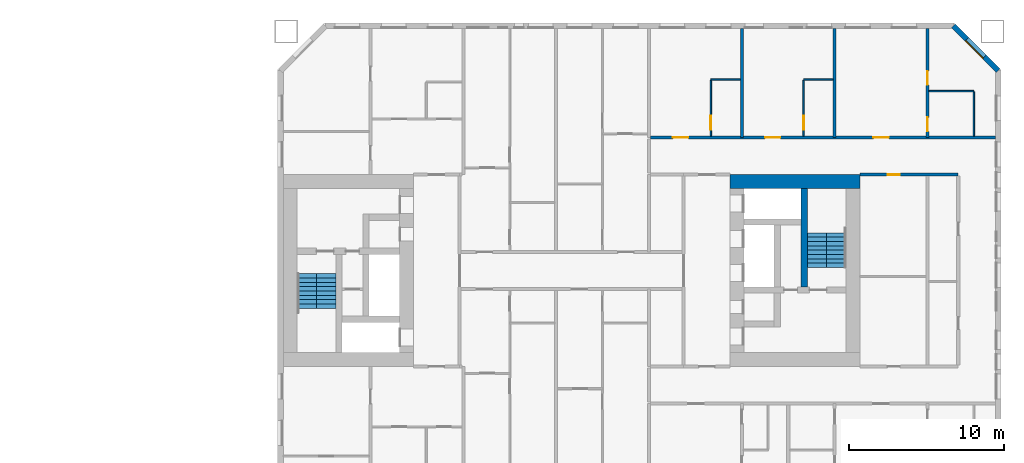
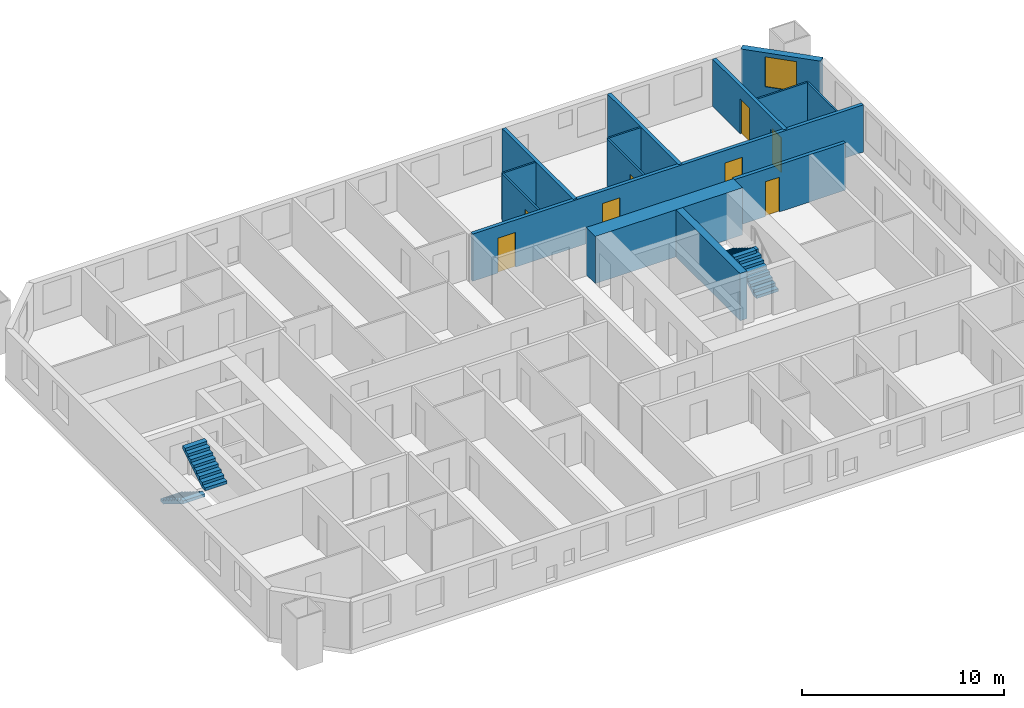
# One storey, part 15 of 17: 14 walls, 8 doors, 4 stair flights, 1 window, 9 openings, 2 elements without a shape of their own.
"""IFC4 building model written with IfcOpenShell, lengths in metres."""

from ifc_helpers import new_model, si_unit, direction, frame, frame_2d, origin, place, context, subcontext, project, spatial, polyline, rectangle, outline, extrude, material, layer, layer_set, type_object, element, fill, aggregate, save


model = new_model("IFC4")

# Units and contexts
model_context = context("Model", 3, precision=1e-05, world=origin(), true_north=direction((0.0, 1.0)))
body_context = subcontext(model_context, "Body", "Model", "MODEL_VIEW")
ifc_project = project(units=[si_unit("LENGTHUNIT", "METRE"), si_unit("AREAUNIT", "SQUARE_METRE"), si_unit("VOLUMEUNIT", "CUBIC_METRE"), si_unit("PLANEANGLEUNIT", "RADIAN"), si_unit("MASSUNIT", "GRAM", prefix="KILO")], contexts=[model_context])

# Site, building, storey
site_placement = place(None, origin())
site = spatial("IfcSite", under=ifc_project, at=site_placement, CompositionType="ELEMENT")
building_placement = place(site_placement, origin())
building = spatial("IfcBuilding", under=site, at=building_placement, Name="Tuart Gate Housing", CompositionType="ELEMENT")
storey_placement = place(building_placement, frame((0.0, 0.0, 28.800048828125)))
storey = spatial("IfcBuildingStorey", under=building, at=storey_placement, Name="L07", CompositionType="ELEMENT", Elevation=28.800048828125)

# Wall, opening, window
ifc_material_1 = material(Name="Brick", Category="masonry")
ifc_layer_1 = layer(ifc_material_1, 0.360107421875)
ifc_layer_set_1 = layer_set([ifc_layer_1], Name="Brick pier and spandrel wall 360")
wall_type_1 = type_object("IfcWallType", Name="Brick pier and spandrel wall 360", PredefinedType="STANDARD", material=ifc_layer_set_1)
wall_1_placement = place(storey_placement, frame((177.570068359375, 82.92529296875, 0.0), z_axis=(0.0, 0.0, 1.0), x_axis=(-0.707106781187, 0.707106781187, 0.0)))
wall_1 = element("IfcWall", 1, at=wall_1_placement, inside=storey, type_object=wall_type_1, Name="External wall B-NE L07", PredefinedType="STANDARD", context=body_context, shape_type="SweptSolid", body=[
    extrude(rectangle(XDim=4.09375, YDim=0.360107421875, at=frame_2d((2.046875, 0.0))), origin(), (0.0, 0.0, 1.0), 2.849853515625),
])
opening_1_placement = place(wall_1_placement, frame((1.2470703125, 0.0, 0.800048828125)))
opening_1 = element("IfcOpeningElement", 2, at=opening_1_placement, cuts=wall_1, Name="Opening W1", PredefinedType="OPENING", context=body_context, shape_type="SweptSolid", body=[
    extrude(rectangle(XDim=1.60009765625, YDim=1.800048828125, at=frame_2d((0.800048828125, 0.89990234375))), frame((0.0, 0.18994140625, 0.0), z_axis=(0.0, -1.0, 0.0), x_axis=(1.0, 0.0, 0.0)), (0.0, 0.0, 1.0), 0.380126953125),
])
ifc_material_2 = material(Name="Aluminium frame with clear glass", Category="aluminium")
window_type = type_object("IfcWindowType", Name="Punched window 1600 x 1800", PartitioningType="SINGLE_PANEL", PredefinedType="WINDOW", material=ifc_material_2)
window_placement = place(opening_1_placement, origin())
window = element("IfcWindow", 3, at=window_placement, inside=storey, type_object=window_type, Name="Window W1", OverallHeight=1.800048828125, OverallWidth=1.60009765625, PartitioningType="SINGLE_PANEL", PredefinedType="WINDOW", context=body_context, shape_type="SweptSolid", body=[
    extrude(rectangle(XDim=1.60009765625, YDim=1.800048828125, at=frame_2d((0.800048828125, 0.89990234375))), frame((0.0, 0.150146484375, 0.0), z_axis=(0.0, -1.0, 0.0), x_axis=(1.0, 0.0, 0.0)), (0.0, 0.0, 1.0), 0.06005859375),
])
fill(opening_1, window)

# Walls
ifc_material_3 = material(Name="Concrete C60", Category="concrete")
ifc_layer_2 = layer(ifc_material_3, 0.39990234375)
ifc_layer_set_2 = layer_set([ifc_layer_2], Name="Core wall 400 C60")
wall_type_2 = type_object("IfcWallType", Name="Core wall 400 C60", PredefinedType="SHEAR", material=ifc_layer_set_2)
wall_2_placement = place(storey_placement, frame((165.0400390625, 75.300048828125, 0.0), z_axis=(0.0, 0.0, 1.0), x_axis=(0.0, -1.0, 0.0)))
element("IfcWall", 4, at=wall_2_placement, inside=storey, type_object=wall_type_2, Name="Core wall BK.6", PredefinedType="SHEAR", context=body_context, shape_type="SweptSolid", body=[
    extrude(rectangle(XDim=6.35009765625, YDim=0.39990234375, at=frame_2d((3.175048828125, 0.0))), origin(), (0.0, 0.0, 1.0), 2.849853515625),
])
ifc_material_4 = material(Name="Concrete C60", Category="concrete")
ifc_layer_3 = layer(ifc_material_4, 0.89990234375)
ifc_layer_set_3 = layer_set([ifc_layer_3], Name="Core wall 900 C60")
wall_type_3 = type_object("IfcWallType", Name="Core wall 900 C60", PredefinedType="SHEAR", material=ifc_layer_set_3)
wall_3_placement = place(storey_placement, frame((160.239990234375, 75.75, 0.0), z_axis=(0.0, 0.0, 1.0), x_axis=(1.0, 0.0, 0.0)))
element("IfcWall", 5, at=wall_3_placement, inside=storey, type_object=wall_type_3, Name="Core wall BK south", PredefinedType="SHEAR", context=body_context, shape_type="SweptSolid", body=[
    extrude(rectangle(XDim=8.39990234375, YDim=0.89990234375, at=frame_2d((4.199951171875, 0.0))), origin(), (0.0, 0.0, 1.0), 2.849853515625),
])

# Wall, opening, door
ifc_material_5 = material(Name="Concrete masonry 15 MPa", Category="masonry")
ifc_layer_4 = layer(ifc_material_5, 0.199951171875)
ifc_layer_set_4 = layer_set([ifc_layer_4], Name="Corridor wall masonry 200")
wall_type_4 = type_object("IfcWallType", Name="Corridor wall masonry 200", PredefinedType="PARTITIONING", material=ifc_layer_set_4)
wall_4_placement = place(storey_placement, frame((168.639892578125, 76.199951171875, 0.0), z_axis=(0.0, 0.0, 1.0), x_axis=(1.0, 0.0, 0.0)))
wall_4 = element("IfcWall", 6, at=wall_4_placement, inside=storey, type_object=wall_type_4, Name="Corridor wall masonry 200", PredefinedType="PARTITIONING", context=body_context, shape_type="SweptSolid", body=[
    extrude(rectangle(XDim=6.35009765625, YDim=0.199951171875, at=frame_2d((3.175048828125, 0.0))), origin(), (0.0, 0.0, 1.0), 2.849853515625),
])
opening_2_placement = place(wall_4_placement, frame((1.780029296875, 0.0, 0.0)))
opening_2 = element("IfcOpeningElement", 7, at=opening_2_placement, cuts=wall_4, Name="Opening D551", PredefinedType="OPENING", context=body_context, shape_type="SweptSolid", body=[
    extrude(rectangle(XDim=0.800048828125, YDim=2.10009765625, at=frame_2d((0.39990234375, 1.050048828125))), frame((0.0, 0.10986328125, 0.0), z_axis=(0.0, -1.0, 0.0), x_axis=(1.0, 0.0, 0.0)), (0.0, 0.0, 1.0), 0.219970703125),
])
ifc_material_6 = material(Name="Timber door leaf in steel frame", Category="steel")
door_type_1 = type_object("IfcDoorType", Name="Store door 800 RH", OperationType="SINGLE_SWING_RIGHT", PredefinedType="DOOR", material=ifc_material_6)
door_1_placement = place(opening_2_placement, frame((0.800048828125, 0.0, 0.0), z_axis=(0.0, 0.0, 1.0), x_axis=(-1.0, 0.0, 0.0)))
door_1 = element("IfcDoor", 8, at=door_1_placement, inside=storey, type_object=door_type_1, Name="Store door", OperationType="SINGLE_SWING_RIGHT", OverallHeight=2.10009765625, OverallWidth=0.800048828125, PredefinedType="DOOR", context=body_context, shape_type="SweptSolid", body=[
    extrude(rectangle(XDim=0.800048828125, YDim=2.10009765625, at=frame_2d((0.400146484375, 1.050048828125))), frame((0.0, 0.025146484375, 0.0), z_axis=(0.0, -1.0, 0.0), x_axis=(1.0, 0.0, 0.0)), (0.0, 0.0, 1.0), 0.050048828125),
])
fill(opening_2, door_1)

# Wall, openings, doors
wall_5_placement = place(storey_placement, frame((155.10009765625, 78.60009765625, 0.0), z_axis=(0.0, 0.0, 1.0), x_axis=(1.0, 0.0, 0.0)))
wall_5 = element("IfcWall", 9, at=wall_5_placement, inside=storey, type_object=wall_type_4, Name="Corridor wall masonry 200", PredefinedType="PARTITIONING", context=body_context, shape_type="SweptSolid", body=[
    extrude(rectangle(XDim=22.289794921875, YDim=0.199951171875, at=frame_2d((11.14501953125, 0.0))), origin(), (0.0, 0.0, 1.0), 2.849853515625),
])
opening_3_placement = place(wall_5_placement, frame((1.449951171875, 0.0, 0.0)))
opening_3 = element("IfcOpeningElement", 10, at=opening_3_placement, cuts=wall_5, Name="Opening D541", PredefinedType="OPENING", context=body_context, shape_type="SweptSolid", body=[
    extrude(rectangle(XDim=1.0, YDim=2.10009765625, at=frame_2d((0.5, 1.050048828125))), frame((0.0, 0.10986328125, 0.0), z_axis=(0.0, -1.0, 0.0), x_axis=(1.0, 0.0, 0.0)), (0.0, 0.0, 1.0), 0.219970703125),
])
opening_4_placement = place(wall_5_placement, frame((7.39990234375, 0.0, 0.0)))
opening_4 = element("IfcOpeningElement", 11, at=opening_4_placement, cuts=wall_5, Name="Opening D542", PredefinedType="OPENING", context=body_context, shape_type="SweptSolid", body=[
    extrude(rectangle(XDim=1.0, YDim=2.10009765625, at=frame_2d((0.5, 1.050048828125))), frame((0.0, 0.10986328125, 0.0), z_axis=(0.0, -1.0, 0.0), x_axis=(1.0, 0.0, 0.0)), (0.0, 0.0, 1.0), 0.219970703125),
])
opening_5_placement = place(wall_5_placement, frame((14.39990234375, 0.0, 0.0)))
opening_5 = element("IfcOpeningElement", 12, at=opening_5_placement, cuts=wall_5, Name="Opening D543", PredefinedType="OPENING", context=body_context, shape_type="SweptSolid", body=[
    extrude(rectangle(XDim=1.0, YDim=2.10009765625, at=frame_2d((0.5, 1.050048828125))), frame((0.0, 0.10986328125, 0.0), z_axis=(0.0, -1.0, 0.0), x_axis=(1.0, 0.0, 0.0)), (0.0, 0.0, 1.0), 0.219970703125),
])
ifc_material_7 = material(Name="Timber door leaf in steel frame", Category="steel")
door_type_2 = type_object("IfcDoorType", Name="Flat entrance door 1000", OperationType="SINGLE_SWING_LEFT", PredefinedType="DOOR", material=ifc_material_7)
door_2_placement = place(opening_4_placement, origin())
door_2 = element("IfcDoor", 13, at=door_2_placement, inside=storey, type_object=door_type_2, Name="Flat entrance door", OperationType="SINGLE_SWING_LEFT", OverallHeight=2.10009765625, OverallWidth=1.0, PredefinedType="DOOR", context=body_context, shape_type="SweptSolid", body=[
    extrude(rectangle(XDim=1.0, YDim=2.10009765625, at=frame_2d((0.5, 1.050048828125))), frame((0.0, 0.02490234375, 0.0), z_axis=(0.0, -1.0, 0.0), x_axis=(1.0, 0.0, 0.0)), (0.0, 0.0, 1.0), 0.050048828125),
])
fill(opening_4, door_2)
door_3_placement = place(opening_5_placement, origin())
door_3 = element("IfcDoor", 14, at=door_3_placement, inside=storey, type_object=door_type_2, Name="Flat entrance door", OperationType="SINGLE_SWING_LEFT", OverallHeight=2.10009765625, OverallWidth=1.0, PredefinedType="DOOR", context=body_context, shape_type="SweptSolid", body=[
    extrude(rectangle(XDim=1.0, YDim=2.10009765625, at=frame_2d((0.5, 1.050048828125))), frame((0.0, 0.02490234375, 0.0), z_axis=(0.0, -1.0, 0.0), x_axis=(1.0, 0.0, 0.0)), (0.0, 0.0, 1.0), 0.050048828125),
])
fill(opening_5, door_3)
ifc_material_8 = material(Name="Timber door leaf in steel frame", Category="steel")
door_type_3 = type_object("IfcDoorType", Name="Flat entrance door 1000 RH", OperationType="SINGLE_SWING_RIGHT", PredefinedType="DOOR", material=ifc_material_8)
door_4_placement = place(opening_3_placement, origin())
door_4 = element("IfcDoor", 15, at=door_4_placement, inside=storey, type_object=door_type_3, Name="Flat entrance door", OperationType="SINGLE_SWING_RIGHT", OverallHeight=2.10009765625, OverallWidth=1.0, PredefinedType="DOOR", context=body_context, shape_type="SweptSolid", body=[
    extrude(rectangle(XDim=1.0, YDim=2.10009765625, at=frame_2d((0.5, 1.050048828125))), frame((0.0, 0.02490234375, 0.0), z_axis=(0.0, -1.0, 0.0), x_axis=(1.0, 0.0, 0.0)), (0.0, 0.0, 1.0), 0.050048828125),
])
fill(opening_3, door_4)

# Walls
ifc_material_9 = material(Name="Gypsum board on steel studs", Category="steel")
ifc_layer_5 = layer(ifc_material_9, 0.10009765625)
ifc_layer_set_5 = layer_set([ifc_layer_5], Name="Partition 100")
wall_type_5 = type_object("IfcWallType", Name="Partition 100", PredefinedType="PARTITIONING", material=ifc_layer_set_5)
wall_6_placement = place(storey_placement, frame((173.10009765625, 81.60009765625, 0.0), z_axis=(0.0, 0.0, 1.0), x_axis=(1.0, 0.0, 0.0)))
element("IfcWall", 16, at=wall_6_placement, inside=storey, type_object=wall_type_5, Name="Partition 100", PredefinedType="PARTITIONING", context=body_context, shape_type="SweptSolid", body=[
    extrude(rectangle(XDim=2.89990234375, YDim=0.10009765625, at=frame_2d((1.449951171875, 0.0))), origin(), (0.0, 0.0, 1.0), 2.849853515625),
])
for number, where, z_axis, x_axis, name in (
    (17, (159.0, 82.35009765625, 0.0), (0.0, 0.0, 1.0), (1.0, 0.0, 0.0), "Partition 100"),
    (18, (165.0, 82.35009765625, 0.0), (0.0, 0.0, 1.0), (1.0, 0.0, 0.0), "Partition 100"),
):
    element("IfcWall", number, at=place(storey_placement, frame(where, z_axis=z_axis, x_axis=x_axis)), inside=storey, type_object=wall_type_5, Name=name, PredefinedType="PARTITIONING", context=body_context, shape_type="SweptSolid", body=[
        extrude(rectangle(XDim=1.89990234375, YDim=0.10009765625, at=frame_2d((0.949951171875, 0.0))), origin(), (0.0, 0.0, 1.0), 2.849853515625),
    ])

# Wall, opening, door
wall_7_placement = place(storey_placement, frame((159.0, 78.699951171875, 0.0), z_axis=(0.0, 0.0, 1.0), x_axis=(0.0, 1.0, 0.0)))
wall_7 = element("IfcWall", 19, at=wall_7_placement, inside=storey, type_object=wall_type_5, Name="Partition 100", PredefinedType="PARTITIONING", context=body_context, shape_type="SweptSolid", body=[
    extrude(rectangle(XDim=3.60009765625, YDim=0.10009765625, at=frame_2d((1.800048828125, 0.0))), origin(), (0.0, 0.0, 1.0), 2.849853515625),
])
opening_6_placement = place(wall_7_placement, frame((0.39990234375, 0.0, 0.0)))
opening_6 = element("IfcOpeningElement", 20, at=opening_6_placement, cuts=wall_7, Name="Opening D536", PredefinedType="OPENING", context=body_context, shape_type="SweptSolid", body=[
    extrude(rectangle(XDim=0.89990234375, YDim=2.10009765625, at=frame_2d((0.449951171875, 1.050048828125))), frame((0.0, 0.06005859375, 0.0), z_axis=(0.0, -1.0, 0.0), x_axis=(1.0, 0.0, 0.0)), (0.0, 0.0, 1.0), 0.1201171875),
])
ifc_material_10 = material(Name="Timber door leaf in steel frame", Category="steel")
door_type_4 = type_object("IfcDoorType", Name="Bathroom door 900 RH", OperationType="SINGLE_SWING_RIGHT", PredefinedType="DOOR", material=ifc_material_10)
door_5_placement = place(opening_6_placement, frame((0.89990234375, 0.0, 0.0), z_axis=(0.0, 0.0, 1.0), x_axis=(-1.0, 0.0, 0.0)))
door_5 = element("IfcDoor", 21, at=door_5_placement, inside=storey, type_object=door_type_4, Name="Bathroom door", OperationType="SINGLE_SWING_RIGHT", OverallHeight=2.10009765625, OverallWidth=0.89990234375, PredefinedType="DOOR", context=body_context, shape_type="SweptSolid", body=[
    extrude(rectangle(XDim=0.89990234375, YDim=2.10009765625, at=frame_2d((0.449951171875, 1.050048828125))), frame((0.0, 0.025146484375, 0.0), z_axis=(0.0, -1.0, 0.0), x_axis=(1.0, 0.0, 0.0)), (0.0, 0.0, 1.0), 0.050048828125),
])
fill(opening_6, door_5)

wall_8_placement = place(storey_placement, frame((165.0, 78.699951171875, 0.0), z_axis=(0.0, 0.0, 1.0), x_axis=(0.0, 1.0, 0.0)))
wall_8 = element("IfcWall", 22, at=wall_8_placement, inside=storey, type_object=wall_type_5, Name="Partition 100", PredefinedType="PARTITIONING", context=body_context, shape_type="SweptSolid", body=[
    extrude(rectangle(XDim=3.60009765625, YDim=0.10009765625, at=frame_2d((1.800048828125, 0.0))), origin(), (0.0, 0.0, 1.0), 2.849853515625),
])
opening_7_placement = place(wall_8_placement, frame((0.39990234375, 0.0, 0.0)))
opening_7 = element("IfcOpeningElement", 23, at=opening_7_placement, cuts=wall_8, Name="Opening D537", PredefinedType="OPENING", context=body_context, shape_type="SweptSolid", body=[
    extrude(rectangle(XDim=0.89990234375, YDim=2.10009765625, at=frame_2d((0.449951171875, 1.050048828125))), frame((0.0, 0.06005859375, 0.0), z_axis=(0.0, -1.0, 0.0), x_axis=(1.0, 0.0, 0.0)), (0.0, 0.0, 1.0), 0.1201171875),
])
door_6_placement = place(opening_7_placement, frame((0.89990234375, 0.0, 0.0), z_axis=(0.0, 0.0, 1.0), x_axis=(-1.0, 0.0, 0.0)))
door_6 = element("IfcDoor", 24, at=door_6_placement, inside=storey, type_object=door_type_4, Name="Bathroom door", OperationType="SINGLE_SWING_RIGHT", OverallHeight=2.10009765625, OverallWidth=0.89990234375, PredefinedType="DOOR", context=body_context, shape_type="SweptSolid", body=[
    extrude(rectangle(XDim=0.89990234375, YDim=2.10009765625, at=frame_2d((0.449951171875, 1.050048828125))), frame((0.0, 0.025146484375, 0.0), z_axis=(0.0, -1.0, 0.0), x_axis=(1.0, 0.0, 0.0)), (0.0, 0.0, 1.0), 0.050048828125),
])
fill(opening_7, door_6)

# Walls
wall_9_placement = place(storey_placement, frame((176.0, 78.699951171875, 0.0), z_axis=(0.0, 0.0, 1.0), x_axis=(0.0, 1.0, 0.0)))
element("IfcWall", 25, at=wall_9_placement, inside=storey, type_object=wall_type_5, Name="Partition 100", PredefinedType="PARTITIONING", context=body_context, shape_type="SweptSolid", body=[
    extrude(rectangle(XDim=2.85009765625, YDim=0.10009765625, at=frame_2d((1.425048828125, 0.0))), origin(), (0.0, 0.0, 1.0), 2.849853515625),
])
ifc_material_11 = material(Name="Concrete C40", Category="concrete")
ifc_layer_6 = layer(ifc_material_11, 0.199951171875)
ifc_layer_set_6 = layer_set([ifc_layer_6], Name="Party wall concrete C40 200")
wall_type_6 = type_object("IfcWallType", Name="Party wall concrete C40 200", PredefinedType="SOLIDWALL", material=ifc_layer_set_6)
for number, where, z_axis, x_axis, name in (
    (26, (161.0, 78.60009765625, 0.0), (0.0, 0.0, 1.0), (0.0, 1.0, 0.0), "Party wall concrete C40 200"),
    (27, (167.0, 78.60009765625, 0.0), (0.0, 0.0, 1.0), (0.0, 1.0, 0.0), "Party wall concrete C40 200"),
):
    element("IfcWall", number, at=place(storey_placement, frame(where, z_axis=z_axis, x_axis=x_axis)), inside=storey, type_object=wall_type_6, Name=name, PredefinedType="SOLIDWALL", context=body_context, shape_type="SweptSolid", body=[
        extrude(rectangle(XDim=7.039794921875, YDim=0.199951171875, at=frame_2d((3.52001953125, 0.0))), origin(), (0.0, 0.0, 1.0), 2.849853515625),
    ])

# Wall, openings, doors
wall_10_placement = place(storey_placement, frame((173.0, 78.60009765625, 0.0), z_axis=(0.0, 0.0, 1.0), x_axis=(0.0, 1.0, 0.0)))
wall_10 = element("IfcWall", 28, at=wall_10_placement, inside=storey, type_object=wall_type_6, Name="Party wall concrete C40 200", PredefinedType="SOLIDWALL", context=body_context, shape_type="SweptSolid", body=[
    extrude(rectangle(XDim=7.039794921875, YDim=0.199951171875, at=frame_2d((3.52001953125, 0.0))), origin(), (0.0, 0.0, 1.0), 2.849853515625),
])
opening_8_placement = place(wall_10_placement, frame((3.39990234375, 0.0, 0.0)))
opening_8 = element("IfcOpeningElement", 29, at=opening_8_placement, cuts=wall_10, Name="Opening D533", PredefinedType="OPENING", context=body_context, shape_type="SweptSolid", body=[
    extrude(rectangle(XDim=0.89990234375, YDim=2.10009765625, at=frame_2d((0.449951171875, 1.050048828125))), frame((0.0, 0.10986328125, 0.0), z_axis=(0.0, -1.0, 0.0), x_axis=(1.0, 0.0, 0.0)), (0.0, 0.0, 1.0), 0.219970703125),
])
opening_9_placement = place(wall_10_placement, frame((0.39990234375, 0.0, 0.0)))
opening_9 = element("IfcOpeningElement", 30, at=opening_9_placement, cuts=wall_10, Name="Opening D532", PredefinedType="OPENING", context=body_context, shape_type="SweptSolid", body=[
    extrude(rectangle(XDim=0.89990234375, YDim=2.10009765625, at=frame_2d((0.449951171875, 1.050048828125))), frame((0.0, 0.10986328125, 0.0), z_axis=(0.0, -1.0, 0.0), x_axis=(1.0, 0.0, 0.0)), (0.0, 0.0, 1.0), 0.219970703125),
])
door_7_placement = place(opening_9_placement, frame((0.89990234375, 0.0, 0.0), z_axis=(0.0, 0.0, 1.0), x_axis=(-1.0, 0.0, 0.0)))
door_7 = element("IfcDoor", 31, at=door_7_placement, inside=storey, type_object=door_type_4, Name="Bathroom door", OperationType="SINGLE_SWING_RIGHT", OverallHeight=2.10009765625, OverallWidth=0.89990234375, PredefinedType="DOOR", context=body_context, shape_type="SweptSolid", body=[
    extrude(rectangle(XDim=0.89990234375, YDim=2.10009765625, at=frame_2d((0.449951171875, 1.050048828125))), frame((0.0, 0.025146484375, 0.0), z_axis=(0.0, -1.0, 0.0), x_axis=(1.0, 0.0, 0.0)), (0.0, 0.0, 1.0), 0.050048828125),
])
fill(opening_9, door_7)
ifc_material_12 = material(Name="Timber door leaf in steel frame", Category="steel")
door_type_5 = type_object("IfcDoorType", Name="Internal door 900 RH", OperationType="SINGLE_SWING_RIGHT", PredefinedType="DOOR", material=ifc_material_12)
door_8_placement = place(opening_8_placement, frame((0.89990234375, 0.0, 0.0), z_axis=(0.0, 0.0, 1.0), x_axis=(-1.0, 0.0, 0.0)))
door_8 = element("IfcDoor", 32, at=door_8_placement, inside=storey, type_object=door_type_5, Name="Internal door", OperationType="SINGLE_SWING_RIGHT", OverallHeight=2.10009765625, OverallWidth=0.89990234375, PredefinedType="DOOR", context=body_context, shape_type="SweptSolid", body=[
    extrude(rectangle(XDim=0.89990234375, YDim=2.10009765625, at=frame_2d((0.449951171875, 1.050048828125))), frame((0.0, 0.025146484375, 0.0), z_axis=(0.0, -1.0, 0.0), x_axis=(1.0, 0.0, 0.0)), (0.0, 0.0, 1.0), 0.050048828125),
])
fill(opening_8, door_8)

# Stair, stair flights
ifc_material_13 = material(Name="Concrete C40", Category="concrete")
stair_type = type_object("IfcStairType", Name="Core stair 1250", PredefinedType="HALF_TURN_STAIR", material=ifc_material_13)
stair_1_placement = place(storey_placement, origin())
stair_1 = element("IfcStair", 33, at=stair_1_placement, inside=storey, type_object=stair_type, Name="Stair SB1", PredefinedType="HALF_TURN_STAIR")
ifc_material_14 = material(Name="Concrete C40", Category="concrete")
stair_flight_type = type_object("IfcStairFlightType", Name="Stair flight 1250, 9 risers 172 x 280", PredefinedType="STRAIGHT", material=ifc_material_14)
stair_flight_1_placement = place(storey_placement, frame((132.885009765625, 69.800048828125, 0.0), z_axis=(0.0, 0.0, 1.0), x_axis=(0.0, -1.0, 0.0)))
stair_flight_1 = element("IfcStairFlight", 34, at=stair_flight_1_placement, type_object=stair_flight_type, Name="SB1 flight 1", NumberOfRisers=9, NumberOfTreads=8, PredefinedType="STRAIGHT", RiserHeight=0.172222222, TreadLength=0.28, context=body_context, shape_type="SweptSolid", body=[
    extrude(outline(polyline([(0.0, 0.0), (0.0, 0.172119140625), (0.280029296875, 0.172119140625), (0.280029296875, 0.344482421875), (0.56005859375, 0.344482421875), (0.56005859375, 0.5166015625), (0.840087890625, 0.5166015625), (0.840087890625, 0.68896484375), (1.1201171875, 0.68896484375), (1.1201171875, 0.861083984375), (1.39990234375, 0.861083984375), (1.39990234375, 1.033447265625), (1.679931640625, 1.033447265625), (1.679931640625, 1.20556640625), (1.9599609375, 1.20556640625), (1.9599609375, 1.377685546875), (2.239990234375, 1.377685546875), (2.239990234375, 1.550048828125), (2.239990234375, 1.201904296875), (0.2861328125, 0.0), (0.0, 0.0)])), frame((0.0, 0.625, 0.0), z_axis=(0.0, -1.0, 0.0), x_axis=(1.0, 0.0, 0.0)), (0.0, 0.0, 1.0), 1.25),
])
stair_flight_2_placement = place(storey_placement, frame((134.135009765625, 67.56005859375, 1.550048828125), z_axis=(0.0, 0.0, 1.0), x_axis=(0.0, 1.0, 0.0)))
stair_flight_2 = element("IfcStairFlight", 35, at=stair_flight_2_placement, type_object=stair_flight_type, Name="SB1 flight 2", NumberOfRisers=9, NumberOfTreads=8, PredefinedType="STRAIGHT", RiserHeight=0.172222222, TreadLength=0.28, context=body_context, shape_type="SweptSolid", body=[
    extrude(outline(polyline([(0.0, 0.0), (0.0, 0.172119140625), (0.280029296875, 0.172119140625), (0.280029296875, 0.344482421875), (0.56005859375, 0.344482421875), (0.56005859375, 0.5166015625), (0.840087890625, 0.5166015625), (0.840087890625, 0.68896484375), (1.1201171875, 0.68896484375), (1.1201171875, 0.861083984375), (1.39990234375, 0.861083984375), (1.39990234375, 1.033447265625), (1.679931640625, 1.033447265625), (1.679931640625, 1.20556640625), (1.9599609375, 1.20556640625), (1.9599609375, 1.377685546875), (2.239990234375, 1.377685546875), (2.239990234375, 1.550048828125), (2.239990234375, 1.201904296875), (0.2861328125, 0.0), (0.0, 0.0)])), frame((0.0, 0.625, 0.0), z_axis=(0.0, -1.0, 0.0), x_axis=(1.0, 0.0, 0.0)), (0.0, 0.0, 1.0), 1.25),
])
aggregate(stair_1, [stair_flight_1, stair_flight_2])

stair_2_placement = place(storey_placement, origin())
stair_2 = element("IfcStair", 36, at=stair_2_placement, inside=storey, type_object=stair_type, Name="Stair SB2", PredefinedType="HALF_TURN_STAIR")
stair_flight_3_placement = place(storey_placement, frame((167.114990234375, 70.199951171875, 0.0), z_axis=(0.0, 0.0, 1.0), x_axis=(0.0, 1.0, 0.0)))
stair_flight_3 = element("IfcStairFlight", 37, at=stair_flight_3_placement, type_object=stair_flight_type, Name="SB2 flight 1", NumberOfRisers=9, NumberOfTreads=8, PredefinedType="STRAIGHT", RiserHeight=0.172222222, TreadLength=0.28, context=body_context, shape_type="SweptSolid", body=[
    extrude(outline(polyline([(0.0, 0.0), (0.0, 0.172119140625), (0.280029296875, 0.172119140625), (0.280029296875, 0.344482421875), (0.56005859375, 0.344482421875), (0.56005859375, 0.5166015625), (0.840087890625, 0.5166015625), (0.840087890625, 0.68896484375), (1.1201171875, 0.68896484375), (1.1201171875, 0.861083984375), (1.39990234375, 0.861083984375), (1.39990234375, 1.033447265625), (1.679931640625, 1.033447265625), (1.679931640625, 1.20556640625), (1.9599609375, 1.20556640625), (1.9599609375, 1.377685546875), (2.239990234375, 1.377685546875), (2.239990234375, 1.550048828125), (2.239990234375, 1.201904296875), (0.2861328125, 0.0), (0.0, 0.0)])), frame((0.0, 0.625, 0.0), z_axis=(0.0, -1.0, 0.0), x_axis=(1.0, 0.0, 0.0)), (0.0, 0.0, 1.0), 1.25),
])
stair_flight_4_placement = place(storey_placement, frame((165.864990234375, 72.43994140625, 1.550048828125), z_axis=(0.0, 0.0, 1.0), x_axis=(0.0, -1.0, 0.0)))
stair_flight_4 = element("IfcStairFlight", 38, at=stair_flight_4_placement, type_object=stair_flight_type, Name="SB2 flight 2", NumberOfRisers=9, NumberOfTreads=8, PredefinedType="STRAIGHT", RiserHeight=0.172222222, TreadLength=0.28, context=body_context, shape_type="SweptSolid", body=[
    extrude(outline(polyline([(0.0, 0.0), (0.0, 0.172119140625), (0.280029296875, 0.172119140625), (0.280029296875, 0.344482421875), (0.56005859375, 0.344482421875), (0.56005859375, 0.5166015625), (0.840087890625, 0.5166015625), (0.840087890625, 0.68896484375), (1.1201171875, 0.68896484375), (1.1201171875, 0.861083984375), (1.39990234375, 0.861083984375), (1.39990234375, 1.033447265625), (1.679931640625, 1.033447265625), (1.679931640625, 1.20556640625), (1.9599609375, 1.20556640625), (1.9599609375, 1.377685546875), (2.239990234375, 1.377685546875), (2.239990234375, 1.550048828125), (2.239990234375, 1.201904296875), (0.2861328125, 0.0), (0.0, 0.0)])), frame((0.0, 0.625, 0.0), z_axis=(0.0, -1.0, 0.0), x_axis=(1.0, 0.0, 0.0)), (0.0, 0.0, 1.0), 1.25),
])
aggregate(stair_2, [stair_flight_3, stair_flight_4])

save(model, "model.ifc")
